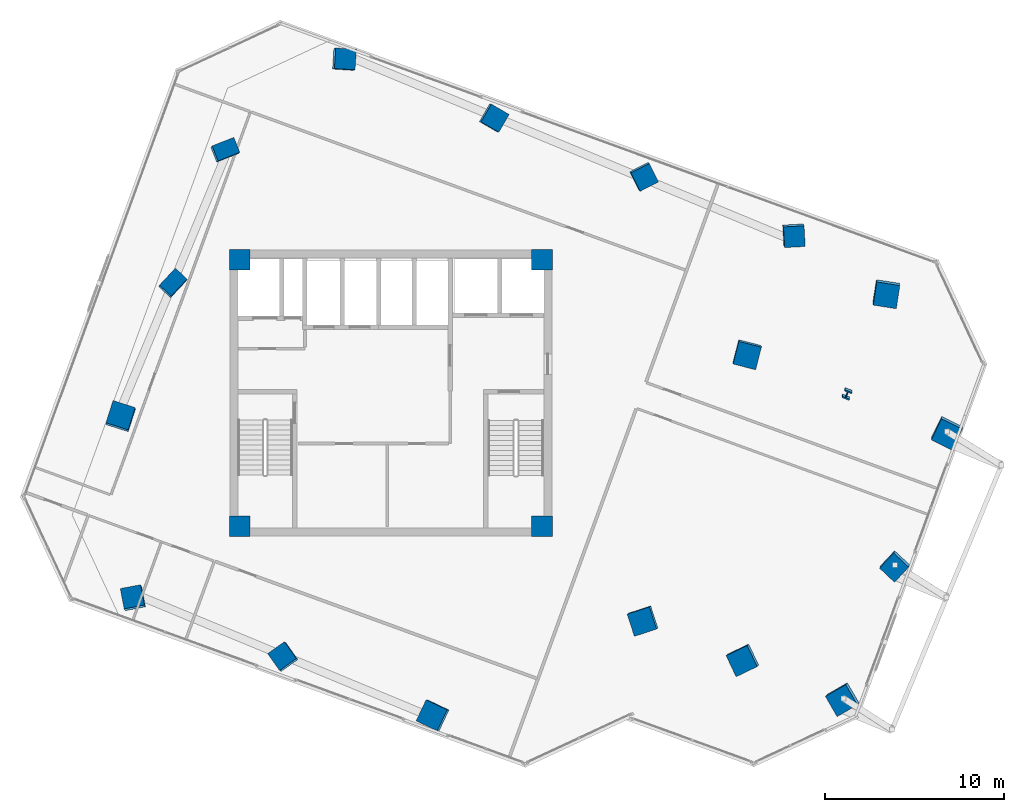
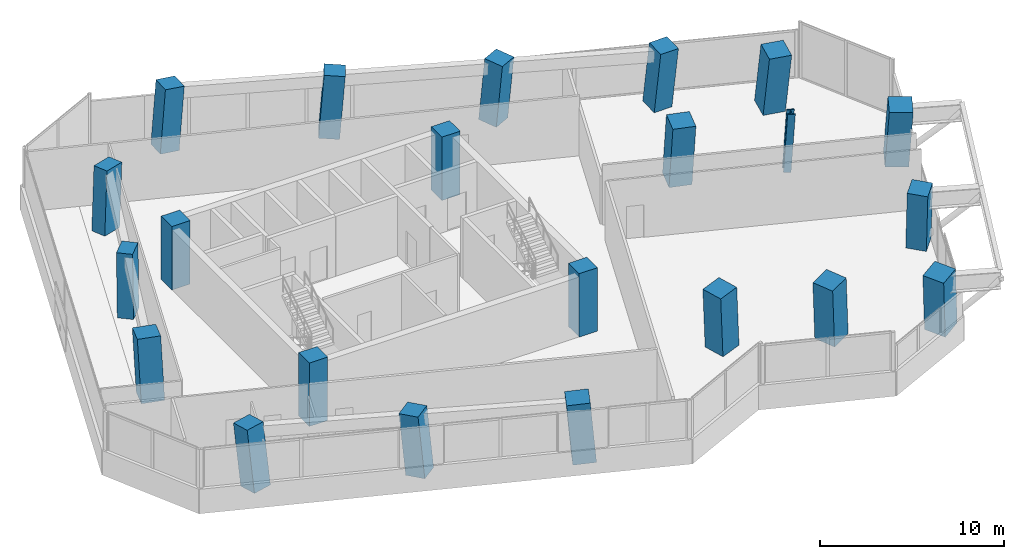
# One storey, part 1 of 21: 22 columns.
"""IFC4 building model written with IfcOpenShell, lengths in metres."""

from ifc_helpers import new_model, si_unit, direction, frame, origin, origin_2d, place, context, subcontext, project, spatial, rectangle, i_section, extrude, clip, halfspace, source, transform, mapped, material, material_profile, profile_set, type_object, element, save


model = new_model("IFC4")

# Units and contexts
model_context = context("Model", 3, precision=1e-05, world=origin(), true_north=direction((0.0, 1.0)))
body_context = subcontext(model_context, "Body", "Model", "MODEL_VIEW")
ifc_project = project(units=[si_unit("LENGTHUNIT", "METRE"), si_unit("AREAUNIT", "SQUARE_METRE"), si_unit("VOLUMEUNIT", "CUBIC_METRE"), si_unit("PLANEANGLEUNIT", "RADIAN"), si_unit("MASSUNIT", "GRAM", prefix="KILO")], contexts=[model_context])

# Site, building, storey
site_placement = place(None, origin())
site = spatial("IfcSite", under=ifc_project, at=site_placement, CompositionType="ELEMENT")
building_placement = place(site_placement, origin())
building = spatial("IfcBuilding", under=site, at=building_placement, Name="Torre Montelarca", CompositionType="ELEMENT")
storey_placement = place(building_placement, frame((0.0, 0.0, 137.199951171875)))
storey = spatial("IfcBuildingStorey", under=building, at=storey_placement, Name="L30", CompositionType="ELEMENT", Elevation=137.199951171875)

# Columns
ifc_material_1 = material(Name="Concrete C55/67", Category="concrete")
ifc_material_profile_1 = material_profile(ifc_material_1, rectangle(XDim=0.89990234375, YDim=1.300048828125, at=origin_2d()), Name="RC1300X900", Category="concrete")
ifc_profile_set_1 = profile_set([ifc_material_profile_1], Name="Concrete C55/67")
column_type_1 = type_object("IfcColumnType", Name="COL-PIL1300-EXT", PredefinedType="PILASTER", material=ifc_profile_set_1)
column_1_placement = place(storey_placement, frame((5.795654296875, 38.107177734375, 0.0), z_axis=(0.032486438012, 0.08089760054, 0.996192857619), x_axis=(0.73032874393, -0.682364717141, 0.031596179998)))
element("IfcColumn", 1, at=column_1_placement, inside=storey, type_object=column_type_1, Name="L30 Column 1W/E", PredefinedType="PILASTER", context=body_context, shape_type="Clipping", body=[
    clip(clip(extrude(rectangle(XDim=0.89990234375, YDim=1.300048828125, at=origin_2d()), origin(), (0.0, 0.0, 1.0), 4.216064453125), halfspace(frame((0.0, 0.0, 0.068115234375), z_axis=(0.0, 0.0, -1.0), x_axis=(1.0, 0.0, 0.0)), False)), halfspace(frame((0.0, 0.0, 4.14794921875), z_axis=(0.0, 0.0, 1.0), x_axis=(1.0, 0.0, 0.0)), False)),
])
column_2_placement = place(storey_placement, frame((8.6953125, 45.56298828125, 0.0), z_axis=(0.070818581829, 0.065495616528, 0.995336652939), x_axis=(0.367965840543, -0.929181806711, 0.034961554169)))
element("IfcColumn", 2, at=column_2_placement, inside=storey, type_object=column_type_1, Name="L30 Column 1W/F", PredefinedType="PILASTER", context=body_context, shape_type="Clipping", body=[
    clip(clip(extrude(rectangle(XDim=0.89990234375, YDim=1.300048828125, at=origin_2d()), origin(), (0.0, 0.0, 1.0), 4.2197265625), halfspace(frame((0.0, 0.0, 0.0751953125), z_axis=(0.0, 0.0, -1.0), x_axis=(1.0, 0.0, 0.0)), False)), halfspace(frame((0.0, 0.0, 4.14453125), z_axis=(0.0, 0.0, 1.0), x_axis=(1.0, 0.0, 0.0)), False)),
])
ifc_material_profile_2 = material_profile(ifc_material_1, rectangle(XDim=1.14990234375, YDim=1.14990234375, at=origin_2d()), Name="RC1150X1150", Category="concrete")
ifc_profile_set_2 = profile_set([ifc_material_profile_2], Name="Concrete C55/67")
column_type_2 = type_object("IfcColumnType", Name="COL-RC1150-EXT", PredefinedType="COLUMN", material=ifc_profile_set_2)
column_3_placement = place(storey_placement, frame((3.615966796875, 20.5, 0.0), z_axis=(-0.058355947415, 0.092965068704, 0.993957785523), x_axis=(0.980902267341, 0.190389366909, 0.039782293708)))
element("IfcColumn", 3, at=column_3_placement, inside=storey, type_object=column_type_2, Name="L30 Column 2/CS", PredefinedType="COLUMN", context=body_context, shape_type="Clipping", body=[
    clip(clip(extrude(rectangle(XDim=1.14990234375, YDim=1.14990234375, at=origin_2d()), origin(), (0.0, 0.0, 1.0), 4.2255859375), halfspace(frame((0.0, 0.0, 0.0830078125), z_axis=(0.0, 0.0, -1.0), x_axis=(1.0, 0.0, 0.0)), False)), halfspace(frame((0.0, 0.0, 4.142578125), z_axis=(0.0, 0.0, 1.0), x_axis=(1.0, 0.0, 0.0)), False)),
])
column_4_placement = place(storey_placement, frame((15.3408203125, 50.650390625, 0.0), z_axis=(0.096748017345, 0.030765059909, 0.994833318817), x_axis=(-0.061176177051, -0.99744853389, 0.036795347569)))
element("IfcColumn", 4, at=column_4_placement, inside=storey, type_object=column_type_2, Name="L30 Column 2/GN", PredefinedType="COLUMN", context=body_context, shape_type="Clipping", body=[
    clip(clip(extrude(rectangle(XDim=1.14990234375, YDim=1.14990234375, at=origin_2d()), origin(), (0.0, 0.0, 1.0), 4.2216796875), halfspace(frame((0.0, 0.0, 0.07666015625), z_axis=(0.0, 0.0, -1.0), x_axis=(1.0, 0.0, 0.0)), False)), halfspace(frame((0.0, 0.0, 4.14501953125), z_axis=(0.0, 0.0, 1.0), x_axis=(1.0, 0.0, 0.0)), False)),
])
column_5_placement = place(storey_placement, frame((12.00390625, 17.238037109375, 0.0), z_axis=(-0.075777308452, 0.049958607482, 0.995872450197), x_axis=(0.814345068086, 0.57944796761, 0.032896244729)))
element("IfcColumn", 5, at=column_5_placement, inside=storey, type_object=column_type_2, Name="L30 Column 3/CS", PredefinedType="COLUMN", context=body_context, shape_type="Clipping", body=[
    clip(clip(extrude(rectangle(XDim=1.14990234375, YDim=1.14990234375, at=origin_2d()), origin(), (0.0, 0.0, 1.0), 4.21728515625), halfspace(frame((0.0, 0.0, 0.068603515625), z_axis=(0.0, 0.0, -1.0), x_axis=(1.0, 0.0, 0.0)), False)), halfspace(frame((0.0, 0.0, 4.148681640625), z_axis=(0.0, 0.0, 1.0), x_axis=(1.0, 0.0, 0.0)), False)),
])
column_6_placement = place(storey_placement, frame((23.72900390625, 47.388427734375, 0.0), z_axis=(0.079552556532, -0.012399305971, 0.996753554275), x_axis=(-0.500484286298, -0.865253690413, 0.029180993742)))
element("IfcColumn", 6, at=column_6_placement, inside=storey, type_object=column_type_2, Name="L30 Column 3/GN", PredefinedType="COLUMN", context=body_context, shape_type="Clipping", body=[
    clip(clip(extrude(rectangle(XDim=1.14990234375, YDim=1.14990234375, at=origin_2d()), origin(), (0.0, 0.0, 1.0), 4.213623046875), halfspace(frame((0.0, 0.0, 0.060791015625), z_axis=(0.0, 0.0, -1.0), x_axis=(1.0, 0.0, 0.0)), False)), halfspace(frame((0.0, 0.0, 4.15283203125), z_axis=(0.0, 0.0, 1.0), x_axis=(1.0, 0.0, 0.0)), False)),
])
column_7_placement = place(storey_placement, frame((32.116943359375, 44.12646484375, 0.0), z_axis=(0.062155538121, -0.055609801115, 0.996516050599), x_axis=(-0.890608466488, -0.453765183113, 0.030227768921)))
element("IfcColumn", 7, at=column_7_placement, inside=storey, type_object=column_type_2, Name="L30 Column 4/GN", PredefinedType="COLUMN", context=body_context, shape_type="Clipping", body=[
    clip(clip(extrude(rectangle(XDim=1.14990234375, YDim=1.14990234375, at=origin_2d()), origin(), (0.0, 0.0, 1.0), 4.214599609375), halfspace(frame((0.0, 0.0, 0.06298828125), z_axis=(0.0, 0.0, -1.0), x_axis=(1.0, 0.0, 0.0)), False)), halfspace(frame((0.0, 0.0, 4.151611328125), z_axis=(0.0, 0.0, 1.0), x_axis=(1.0, 0.0, 0.0)), False)),
])
column_8_placement = place(storey_placement, frame((40.505126953125, 40.864501953125, 0.0), z_axis=(0.044670054659, -0.098586174965, 0.994125420821), x_axis=(-0.997633665984, -0.056464296491, 0.039228200546)))
element("IfcColumn", 8, at=column_8_placement, inside=storey, type_object=column_type_2, Name="L30 Column 5/GN", PredefinedType="COLUMN", context=body_context, shape_type="Clipping", body=[
    clip(clip(extrude(rectangle(XDim=1.14990234375, YDim=1.14990234375, at=origin_2d()), origin(), (0.0, 0.0, 1.0), 4.224853515625), halfspace(frame((0.0, 0.0, 0.081787109375), z_axis=(0.0, 0.0, -1.0), x_axis=(1.0, 0.0, 0.0)), False)), halfspace(frame((0.0, 0.0, 4.14306640625), z_axis=(0.0, 0.0, 1.0), x_axis=(1.0, 0.0, 0.0)), False)),
])
column_9_placement = place(storey_placement, frame((46.1982421875, 22.3955078125, 0.0), z_axis=(-0.050791055238, -0.126574534483, 0.990655922068), x_axis=(-0.731252909098, 0.680312980392, 0.049431079758)))
element("IfcColumn", 9, at=column_9_placement, inside=storey, type_object=column_type_2, Name="L30 Column 7/E", PredefinedType="COLUMN", context=body_context, shape_type="Clipping", body=[
    clip(clip(extrude(rectangle(XDim=1.14990234375, YDim=1.14990234375, at=origin_2d()), origin(), (0.0, 0.0, 1.0), 4.239501953125), halfspace(frame((0.0, 0.0, 0.103271484375), z_axis=(0.0, 0.0, -1.0), x_axis=(1.0, 0.0, 0.0)), False)), halfspace(frame((0.0, 0.0, 4.13623046875), z_axis=(0.0, 0.0, 1.0), x_axis=(1.0, 0.0, 0.0)), False)),
])
ifc_material_2 = material(Name="Concrete C70/85", Category="concrete")
ifc_material_profile_3 = material_profile(ifc_material_2, rectangle(XDim=1.300048828125, YDim=1.300048828125, at=origin_2d()), Name="RC1300X1300", Category="concrete")
ifc_profile_set_3 = profile_set([ifc_material_profile_3], Name="Concrete C70/85")
column_type_3 = type_object("IfcColumnType", Name="COL-RC1300", PredefinedType="COLUMN", material=ifc_profile_set_3)
for number, where, z_axis, x_axis, name in (
    (10, (32.114501953125, 19.28857421875, 0.0), (-0.066371230372, -0.054208963027, 0.996321357849), (-0.309889702907, 0.950265061446, 0.031059379061), "L30 Column 5/D"),
    (11, (37.91357421875, 34.20068359375, 0.0), (0.01048269311, -0.085077768945, 0.99631916893), (-0.96917158877, 0.244420075956, 0.031068601357), "L30 Column 5/F"),
):
    element("IfcColumn", number, at=place(storey_placement, frame(where, z_axis=z_axis, x_axis=x_axis)), inside=storey, type_object=column_type_3, Name=name, PredefinedType="COLUMN", context=body_context, shape_type="Clipping", body=[
        clip(clip(extrude(rectangle(XDim=1.300048828125, YDim=1.300048828125, at=origin_2d()), origin(), (0.0, 0.0, 1.0), 4.215576171875), halfspace(frame((0.0, 0.0, 0.072998046875), z_axis=(0.0, 0.0, -1.0), x_axis=(1.0, 0.0, 0.0)), False)), halfspace(frame((0.0, 0.0, 4.142578125), z_axis=(0.0, 0.0, 1.0), x_axis=(1.0, 0.0, 0.0)), False)),
    ])
column_10_placement = place(storey_placement, frame((37.706787109375, 17.114013671875, 0.0), z_axis=(-0.07773580045, -0.082818081609, 0.993528213332), x_axis=(-0.433109743124, 0.900400559375, 0.041167743295)))
element("IfcColumn", 12, at=column_10_placement, inside=storey, type_object=column_type_3, Name="L30 Column 6/D", PredefinedType="COLUMN", context=body_context, shape_type="Clipping", body=[
    clip(clip(extrude(rectangle(XDim=1.300048828125, YDim=1.300048828125, at=origin_2d()), origin(), (0.0, 0.0, 1.0), 4.227294921875), halfspace(frame((0.0, 0.0, 0.096923828125), z_axis=(0.0, 0.0, -1.0), x_axis=(1.0, 0.0, 0.0)), False)), halfspace(frame((0.0, 0.0, 4.13037109375), z_axis=(0.0, 0.0, 1.0), x_axis=(1.0, 0.0, 0.0)), False)),
])
column_11_placement = place(storey_placement, frame((45.680419921875, 37.6181640625, 0.0), z_axis=(0.027557722721, -0.124874534338, 0.991789757253), x_axis=(-0.987573114532, 0.150170507853, 0.046348268834)))
element("IfcColumn", 13, at=column_11_placement, inside=storey, type_object=column_type_3, Name="L30 Column 6/G", PredefinedType="COLUMN", context=body_context, shape_type="Clipping", body=[
    clip(clip(extrude(rectangle(XDim=1.300048828125, YDim=1.300048828125, at=origin_2d()), origin(), (0.0, 0.0, 1.0), 4.234619140625), halfspace(frame((0.0, 0.0, 0.109130859375), z_axis=(0.0, 0.0, -1.0), x_axis=(1.0, 0.0, 0.0)), False)), halfspace(frame((0.0, 0.0, 4.12548828125), z_axis=(0.0, 0.0, 1.0), x_axis=(1.0, 0.0, 0.0)), False)),
])
ifc_material_profile_4 = material_profile(ifc_material_2, rectangle(XDim=1.300048828125, YDim=1.300048828125, at=origin_2d()), Name="RC1300X1300", Category="concrete")
ifc_profile_set_4 = profile_set([ifc_material_profile_4], Name="Concrete C70/85")
column_type_4 = type_object("IfcColumnType", Name="COL-RC1300-EXT", PredefinedType="COLUMN", material=ifc_profile_set_4)
column_12_placement = place(storey_placement, frame((20.39208984375, 13.97607421875, 0.0), z_axis=(-0.093121667883, 0.006713557162, 0.995632102295), x_axis=(0.426939463159, 0.903646864246, 0.03383843283)))
element("IfcColumn", 14, at=column_12_placement, inside=storey, type_object=column_type_4, Name="L30 Column 4/CS", PredefinedType="COLUMN", context=body_context, shape_type="Clipping", body=[
    clip(clip(extrude(rectangle(XDim=1.300048828125, YDim=1.300048828125, at=origin_2d()), origin(), (0.0, 0.0, 1.0), 4.21826171875), halfspace(frame((0.0, 0.0, 0.07958984375), z_axis=(0.0, 0.0, -1.0), x_axis=(1.0, 0.0, 0.0)), False)), halfspace(frame((0.0, 0.0, 4.138671875), z_axis=(0.0, 0.0, 1.0), x_axis=(1.0, 0.0, 0.0)), False)),
])
for number, where, z_axis, x_axis, name in (
    (15, (43.298583984375, 14.939208984375, 0.0), (-0.088896645422, -0.111048883925, 0.989831062259), (-0.503392603498, 0.862518324477, 0.051556053818), "L30 Column 7/D"),
    (16, (49.09765625, 29.8515625, 0.0), (-0.012600730788, -0.141772605757, 0.989819049039), (-0.896587996082, 0.439850900379, 0.051586342347), "L30 Column 7/F"),
):
    element("IfcColumn", number, at=place(storey_placement, frame(where, z_axis=z_axis, x_axis=x_axis)), inside=storey, type_object=column_type_4, Name=name, PredefinedType="COLUMN", context=body_context, shape_type="Clipping", body=[
        clip(clip(extrude(rectangle(XDim=1.300048828125, YDim=1.300048828125, at=origin_2d()), origin(), (0.0, 0.0, 1.0), 4.2431640625), halfspace(frame((0.0, 0.0, 0.121826171875), z_axis=(0.0, 0.0, -1.0), x_axis=(1.0, 0.0, 0.0)), False)), halfspace(frame((0.0, 0.0, 4.121337890625), z_axis=(0.0, 0.0, 1.0), x_axis=(1.0, 0.0, 0.0)), False)),
    ])
column_13_placement = place(storey_placement, frame((2.896240234375, 30.65087890625, 0.0), z_axis=(-0.005959407752, 0.096276257272, 0.995336811208), x_axis=(0.9525147874, -0.302478612303, 0.034960962273)))
element("IfcColumn", 17, at=column_13_placement, inside=storey, type_object=column_type_4, Name="L30 Column 1W/D", PredefinedType="COLUMN", context=body_context, shape_type="Clipping", body=[
    clip(clip(extrude(rectangle(XDim=1.300048828125, YDim=1.300048828125, at=origin_2d()), origin(), (0.0, 0.0, 1.0), 4.2197265625), halfspace(frame((0.0, 0.0, 0.082275390625), z_axis=(0.0, 0.0, -1.0), x_axis=(1.0, 0.0, 0.0)), False)), halfspace(frame((0.0, 0.0, 4.137451171875), z_axis=(0.0, 0.0, 1.0), x_axis=(1.0, 0.0, 0.0)), False)),
])
ifc_material_3 = material(Name="Steel ASTM A992 Grade 50", Category="steel")
ifc_material_profile_5 = material_profile(ifc_material_3, i_section(OverallWidth=0.4208984375, OverallDepth=0.465087890625, WebThickness=0.044921875, FlangeThickness=0.072265625, FilletRadius=0.014892578125, at=origin_2d()), Name="W360X592", Category="steel")
ifc_profile_set_5 = profile_set([ifc_material_profile_5], Name="Steel ASTM A992 Grade 50")
column_type_5 = type_object("IfcColumnType", Name="COL-W360X592", PredefinedType="COLUMN", material=ifc_profile_set_5)
column_14_placement = place(storey_placement, frame((43.505615234375, 32.026123046875, 0.0), z_axis=(-0.001097308183, -0.11360027347, 0.993525930101), x_axis=(-0.928486293319, 0.369076989337, 0.041174981018)))
element("IfcColumn", 18, at=column_14_placement, inside=storey, type_object=column_type_5, Name="L30 Column 6/F", PredefinedType="COLUMN", context=body_context, shape_type="Clipping", body=[
    clip(clip(extrude(i_section(OverallWidth=0.4208984375, OverallDepth=0.465087890625, WebThickness=0.044921875, FlangeThickness=0.072265625, FilletRadius=0.014892578125, at=origin_2d()), origin(), (0.0, 0.0, 1.0), 4.227294921875), halfspace(frame((0.0, 0.0, 0.0341796875), z_axis=(0.0, 0.0, -1.0), x_axis=(1.0, 0.0, 0.0)), False)), halfspace(frame((0.0, 0.0, 4.193115234375), z_axis=(0.0, 0.0, 1.0), x_axis=(1.0, 0.0, 0.0)), False)),
])
ifc_material_profile_6 = material_profile(ifc_material_1, rectangle(XDim=1.14990234375, YDim=1.14990234375, at=origin_2d()), Name="RC1150X1150", Category="concrete")
ifc_profile_set_6 = profile_set([ifc_material_profile_6], Name="Concrete C55/67")
column_type_6 = type_object("IfcColumnType", Name="COL-RC1150", PredefinedType="COLUMN", material=ifc_profile_set_6)
shared_shape = source(origin(), body_context, "Body", "SweptSolid", [
    extrude(rectangle(XDim=1.14990234375, YDim=1.14990234375, at=origin_2d()), origin(), (0.0, 0.0, 1.0), 4.198486328125),
])
for number, where, z_axis, x_axis, name in (
    (19, (9.550048828125, 24.550048828125, 0.000732421875), (0.0, 0.0, 1.0), (1.0, 0.0, 0.0), "L30 Plumb Core Corner Column 2D"),
    (20, (26.449951171875, 24.550048828125, 0.000732421875), (0.0, 0.0, 1.0), (1.0, 0.0, 0.0), "L30 Plumb Core Corner Column 4D"),
    (21, (9.550048828125, 39.449951171875, 0.000732421875), (0.0, 0.0, 1.0), (1.0, 0.0, 0.0), "L30 Plumb Core Corner Column 2F"),
    (22, (26.449951171875, 39.449951171875, 0.000732421875), (0.0, 0.0, 1.0), (1.0, 0.0, 0.0), "L30 Plumb Core Corner Column 4F"),
):
    element("IfcColumn", number, at=place(storey_placement, frame(where, z_axis=z_axis, x_axis=x_axis)), inside=storey, type_object=column_type_6, Name=name, PredefinedType="COLUMN", context=body_context, shape_type="MappedRepresentation", body=[
        mapped(shared_shape, transform((0.0, 0.0, 0.0), scale=1.0)),
    ])

save(model, "model.ifc")
